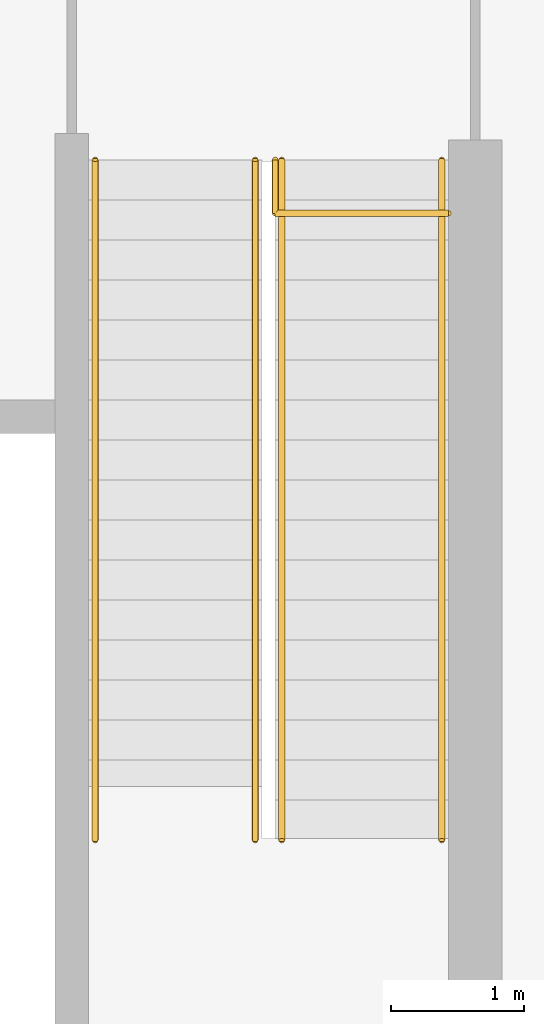
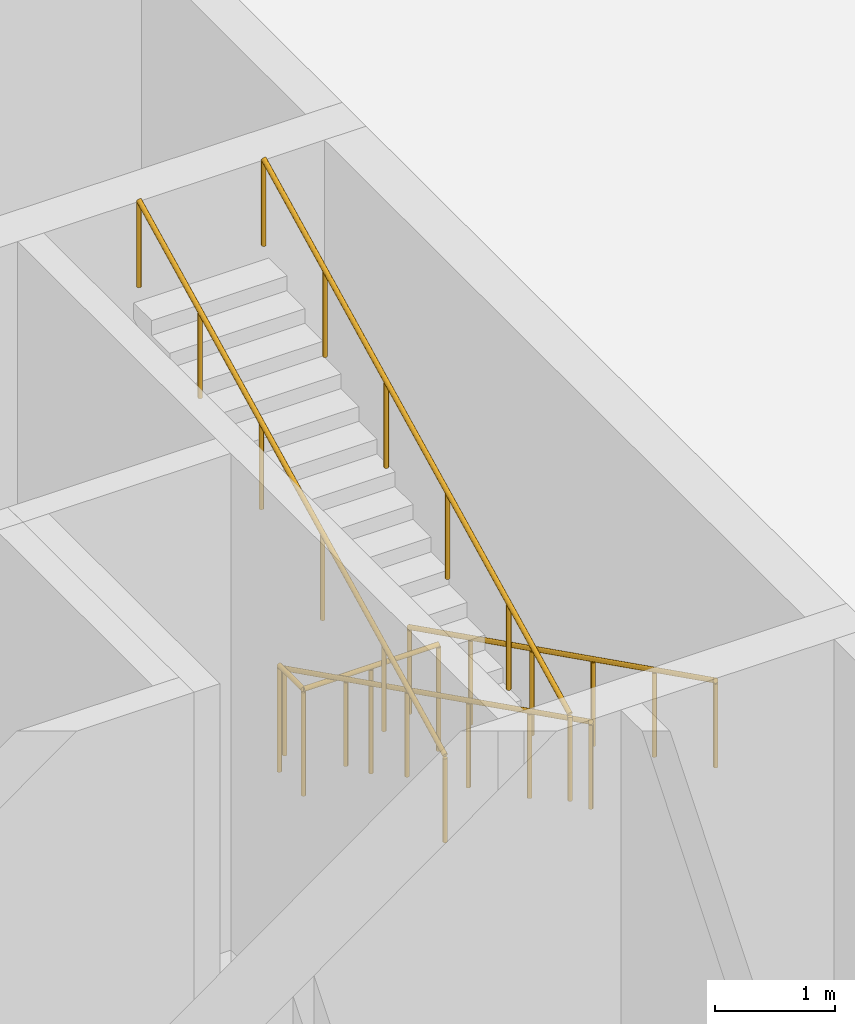
# One storey, part 72 of 76: 5 railings.
"""IFC4 building model written with IfcOpenShell, lengths in metres."""

import ifcopenshell
import ifcopenshell.guid

model = None  # the IFC model being written
_history = None  # IfcOwnerHistory: only IFC2X3 demands one
_inside = {}  # id of a spatial element -> (the spatial element, [elements in it])
_under = {}  # id of a project, library or spatial element -> (it, [spatial elements below it])
_declared = {}  # id of a project -> (the project, [libraries it declares])
_typed = {}  # id of a type object -> (the type object, [elements of that type])
_made_of = {}  # id of a material, layer set ... -> (it, [elements and type objects made of it])


def new_model(schema):
    """Start an empty IFC model of exactly this schema.

    Asked for "IFC4X3", IfcOpenShell would pick the latest addendum, in which some entities
    have other attributes; the version numbers below select the first issue.
    IFC2X3 requires an IfcOwnerHistory on every rooted entity: one is made here for all.
    """
    global model, _history
    if schema == "IFC4X3":
        model = ifcopenshell.file(schema_version=(4, 3, 0, 0))
    else:
        model = ifcopenshell.file(schema=schema)
    _inside.clear()
    _under.clear()
    _declared.clear()
    _typed.clear()
    _made_of.clear()
    _history = None
    if model.schema == "IFC2X3":
        org = make("IfcOrganization", Name="unknown")
        user = make(
            "IfcPersonAndOrganization",
            ThePerson=make("IfcPerson", FamilyName="unknown"),
            TheOrganization=org,
        )
        app = make(
            "IfcApplication",
            ApplicationDeveloper=org,
            Version="unknown",
            ApplicationFullName="unknown",
            ApplicationIdentifier="unknown",
        )
        _history = make(
            "IfcOwnerHistory",
            OwningUser=user,
            OwningApplication=app,
            ChangeAction="ADDED",
            CreationDate=0,
        )
    return model


def make(cls, **values):
    """One entity of the class cls with the attributes given. An attribute that is None is left unset."""
    return model.create_entity(
        cls, **{name: value for name, value in values.items() if value is not None}
    )


def rooted(cls, **values):
    """An entity with a GlobalId (a new one), such as an element, a storey or a relation."""
    return make(cls, GlobalId=ifcopenshell.guid.new(), OwnerHistory=_history, **values)


def si_unit(unit_type, name, prefix=None):
    """IfcSIUnit, for example si_unit("LENGTHUNIT", "METRE", prefix="MILLI")."""
    return make("IfcSIUnit", UnitType=unit_type, Prefix=prefix, Name=name)


def assignment(units):
    """IfcUnitAssignment: the units of a project."""
    return None if units is None else make("IfcUnitAssignment", Units=units)


def point(xyz):
    """IfcCartesianPoint."""
    return None if xyz is None else make("IfcCartesianPoint", Coordinates=xyz)


def direction(xyz):
    """IfcDirection."""
    return None if xyz is None else make("IfcDirection", DirectionRatios=xyz)


def frame(location, z_axis=None, x_axis=None):
    """IfcAxis2Placement3D, a coordinate frame: its origin and axes. An axis left out is left unset."""
    return make(
        "IfcAxis2Placement3D",
        Location=point(location),
        Axis=direction(z_axis),
        RefDirection=direction(x_axis),
    )


def frame_2d(location, x_axis=None):
    """IfcAxis2Placement2D, a coordinate frame in the plane: its origin and x axis."""
    return make(
        "IfcAxis2Placement2D", Location=point(location), RefDirection=direction(x_axis)
    )


def origin():
    """The frame at (0, 0, 0) with its axes left unset."""
    return frame((0.0, 0.0, 0.0))


def origin_2d():
    """The frame at (0, 0) in the plane with its x axis left unset."""
    return frame_2d((0.0, 0.0))


def place(relative_to, where):
    """IfcLocalPlacement: puts the frame where relative to a parent placement (None: the world)."""
    return make(
        "IfcLocalPlacement", PlacementRelTo=relative_to, RelativePlacement=where
    )


def context(
    kind, dimensions, precision=None, world=None, true_north=None, identifier=None
):
    """IfcGeometricRepresentationContext, for example the 3D "Model" context."""
    return make(
        "IfcGeometricRepresentationContext",
        ContextIdentifier=identifier,
        ContextType=kind,
        CoordinateSpaceDimension=dimensions,
        Precision=precision,
        WorldCoordinateSystem=world,
        TrueNorth=true_north,
    )


def subcontext(parent, identifier, kind, view, scale=None):
    """IfcGeometricRepresentationSubContext, for example "Body" below "Model"."""
    return make(
        "IfcGeometricRepresentationSubContext",
        ContextIdentifier=identifier,
        ContextType=kind,
        ParentContext=parent,
        TargetScale=scale,
        TargetView=view,
    )


def project(units=None, contexts=None):
    """IfcProject with its units and contexts."""
    return rooted(
        "IfcProject",
        Name="project",
        RepresentationContexts=contexts,
        UnitsInContext=assignment(units),
    )


def spatial(cls, under=None, at=None, **own):
    """A site, building, storey or space (cls), placed at a placement, below another one or the project."""
    s = rooted(cls, ObjectPlacement=at, **own)
    if under is not None:
        _under.setdefault(under.id(), (under, []))[1].append(s)
    return s


def profile(cls, at=None, kind="AREA", **sizes):
    """A parametric profile (cls). Its sizes go by their IFC names, for example OverallWidth=200.0."""
    return make(cls, ProfileType=kind, Position=at, **sizes)


def circle(**sizes):
    """IfcCircleProfileDef."""
    return profile("IfcCircleProfileDef", **sizes)


def extrude(swept, where, along, depth):
    """IfcExtrudedAreaSolid: the profile swept, set in the frame where, extruded along a direction by depth."""
    return make(
        "IfcExtrudedAreaSolid",
        SweptArea=swept,
        Position=where,
        ExtrudedDirection=direction(along),
        Depth=depth,
    )


def shape(context_of_items, identifier, shape_type, items):
    """IfcShapeRepresentation: the items that make up one representation, for example the "Body"."""
    return make(
        "IfcShapeRepresentation",
        ContextOfItems=context_of_items,
        RepresentationIdentifier=identifier,
        RepresentationType=shape_type,
        Items=items,
    )


def material(Name=None, Category=None):
    """IfcMaterial."""
    return make("IfcMaterial", Name=Name, Category=Category)


def made_of(thing, what):
    """Note that an element or type object is made of a material, layer set ...; save() writes the relation."""
    if what is not None:
        _made_of.setdefault(what.id(), (what, []))[1].append(thing)
    return thing


def type_object(cls, material=None, **own):
    """A type object (cls), such as IfcWallType, which elements share."""
    return made_of(rooted(cls, **own), material)


def element(
    cls,
    number,
    at=None,
    inside=None,
    cuts=None,
    type_object=None,
    material=None,
    context=None,
    identifier="Body",
    shape_type=None,
    held_by="IfcProductDefinitionShape",
    body=None,
    shapes=None,
    **own,
):
    """One element of the class cls, such as IfcWall. Its Tag is "e" and its number.

    at: its placement. inside: the storey or other place that contains it. cuts: it is an
    opening in that element (IfcRelVoidsElement). A single representation is given by context,
    identifier, shape_type and body (its items); several are given by shapes. held_by: the class
    of the entity that holds the representations. save() writes the other relations.
    """
    e = rooted(cls, Tag="e%d" % number, ObjectPlacement=at, **own)
    if body is not None:
        shapes = [shape(context, identifier, shape_type, body)]
    if shapes is not None:
        e.Representation = make(held_by, Representations=shapes)
    if inside is not None:
        _inside.setdefault(inside.id(), (inside, []))[1].append(e)
    if cuts is not None:
        rooted(
            "IfcRelVoidsElement", RelatingBuildingElement=cuts, RelatedOpeningElement=e
        )
    if type_object is not None:
        _typed.setdefault(type_object.id(), (type_object, []))[1].append(e)
    return made_of(e, material)


def aggregate(whole, parts):
    """IfcRelAggregates: a whole, such as a stair, and the parts it consists of."""
    return rooted("IfcRelAggregates", RelatingObject=whole, RelatedObjects=parts)


def save(model, path):
    """Write the relations noted so far, then the file.

    IfcRelAggregates (storeys below a building ...), IfcRelContainedInSpatialStructure (elements
    in a storey), IfcRelDefinesByType, IfcRelAssociatesMaterial and IfcRelDeclares: one each for
    every whole, place, type object, material and project.
    """
    for whole, parts in _under.values():
        aggregate(whole, parts)
    for where, things in _inside.values():
        rooted(
            "IfcRelContainedInSpatialStructure",
            RelatedElements=things,
            RelatingStructure=where,
        )
    for kind, things in _typed.values():
        rooted("IfcRelDefinesByType", RelatedObjects=things, RelatingType=kind)
    for what, things in _made_of.values():
        rooted("IfcRelAssociatesMaterial", RelatedObjects=things, RelatingMaterial=what)
    for by, libraries in _declared.values():
        rooted("IfcRelDeclares", RelatingContext=by, RelatedDefinitions=libraries)
    model.write(path)


model = new_model("IFC4")

# Units and contexts
model_context = context("Model", 3, precision=1e-05, world=origin(), true_north=direction((0.0, 1.0)))
body_context = subcontext(model_context, "Body", "Model", "MODEL_VIEW")
ifc_project = project(units=[si_unit("LENGTHUNIT", "METRE"), si_unit("AREAUNIT", "SQUARE_METRE"), si_unit("VOLUMEUNIT", "CUBIC_METRE"), si_unit("PLANEANGLEUNIT", "RADIAN"), si_unit("MASSUNIT", "GRAM", prefix="KILO")], contexts=[model_context])

# Site, building, storey
site_placement = place(None, origin())
site = spatial("IfcSite", under=ifc_project, at=site_placement, CompositionType="ELEMENT")
building_placement = place(site_placement, origin())
building = spatial("IfcBuilding", under=site, at=building_placement, Name="Hlaing Beacon Police Headquarters", CompositionType="ELEMENT")
storey_placement = place(building_placement, origin())
storey = spatial("IfcBuildingStorey", under=building, at=storey_placement, Name="L00", CompositionType="ELEMENT", Elevation=0.0)

# Railings
ifc_material_1 = material(Name="Stainless steel", Category="steel")
railing_type_1 = type_object("IfcRailingType", Name="Stair guard 1100", PredefinedType="GUARDRAIL", material=ifc_material_1)
railing_placement = place(storey_placement, frame((134.199951171875, 81.89990234375, 0.0)))
element("IfcRailing", 1, at=railing_placement, inside=storey, type_object=railing_type_1, Name="Guard ST-R", PredefinedType="GUARDRAIL", context=body_context, shape_type="SweptSolid", body=[
    extrude(circle(Radius=0.02392578125, at=origin_2d()), frame((0.0, 0.0, 1.076171875), z_axis=(-1.0, 0.0, 0.0), x_axis=(0.0, -1.0, 0.0)), (0.0, 0.0, 1.0), 1.300048828125),
    extrude(circle(Radius=0.02392578125, at=origin_2d()), frame((-1.300048828125, 0.0, 1.076171875), z_axis=(0.0, 1.0, 0.0), x_axis=(-1.0, 0.0, 0.0)), (0.0, 0.0, 1.0), 0.400146484375),
    extrude(circle(Radius=0.02099609375, at=origin_2d()), origin(), (0.0, 0.0, 1.0), 1.052001953125),
    extrude(circle(Radius=0.02099609375, at=origin_2d()), frame((-0.64990234375, 0.0, 0.0)), (0.0, 0.0, 1.0), 1.052001953125),
    extrude(circle(Radius=0.02099609375, at=origin_2d()), frame((-1.300048828125, 0.0, 0.0)), (0.0, 0.0, 1.0), 1.052001953125),
    extrude(circle(Radius=0.02099609375, at=origin_2d()), frame((-1.300048828125, 0.400146484375, 0.0)), (0.0, 0.0, 1.0), 1.052001953125),
])
ifc_material_2 = material(Name="Stainless steel", Category="steel")
railing_type_2 = type_object("IfcRailingType", Name="Stair handrail 900", PredefinedType="HANDRAIL", material=ifc_material_2)
for number, where, name in (
    (2, (134.14990234375, 82.300048828125, 0.14990234375), "Handrail ST-R"),
    (3, (132.949951171875, 82.300048828125, 0.14990234375), "Handrail ST-R"),
):
    element("IfcRailing", number, at=place(storey_placement, frame(where)), inside=storey, type_object=railing_type_2, Name=name, PredefinedType="HANDRAIL", context=body_context, shape_type="SweptSolid", body=[
        extrude(circle(Radius=0.02392578125, at=origin_2d()), frame((0.0, 0.0, 0.8759765625), z_axis=(0.0, -0.894427191, 0.4472135955), x_axis=(1.0, 0.0, 0.0)), (0.0, 0.0, 1.0), 5.7021484375),
        extrude(circle(Radius=0.02099609375, at=origin_2d()), origin(), (0.0, 0.0, 1.0), 0.851806640625),
        extrude(circle(Radius=0.02099609375, at=origin_2d()), frame((0.0, -1.02001953125, 0.510009765625)), (0.0, 0.0, 1.0), 0.851806640625),
        extrude(circle(Radius=0.02099609375, at=origin_2d()), frame((0.0, -2.0400390625, 1.02001953125)), (0.0, 0.0, 1.0), 0.851806640625),
        extrude(circle(Radius=0.02099609375, at=origin_2d()), frame((0.0, -3.06005859375, 1.530029296875)), (0.0, 0.0, 1.0), 0.851806640625),
        extrude(circle(Radius=0.02099609375, at=origin_2d()), frame((0.0, -4.080078125, 2.0400390625)), (0.0, 0.0, 1.0), 0.851806640625),
        extrude(circle(Radius=0.02099609375, at=origin_2d()), frame((0.0, -5.10009765625, 2.550048828125)), (0.0, 0.0, 1.0), 0.851806640625),
    ])
for number, where, name in (
    (4, (132.75, 77.199951171875, 2.85009765625), "Handrail ST-R"),
    (5, (131.550048828125, 77.199951171875, 2.85009765625), "Handrail ST-R"),
):
    element("IfcRailing", number, at=place(storey_placement, frame(where)), inside=storey, type_object=railing_type_2, Name=name, PredefinedType="HANDRAIL", context=body_context, shape_type="SweptSolid", body=[
        extrude(circle(Radius=0.02392578125, at=origin_2d()), frame((0.0, 0.0, 0.8759765625), z_axis=(0.0, 0.89444431709, 0.44717934168), x_axis=(-1.0, 0.0, 0.0)), (0.0, 0.0, 1.0), 5.701904296875),
        extrude(circle(Radius=0.02099609375, at=origin_2d()), origin(), (0.0, 0.0, 1.0), 0.851806640625),
        extrude(circle(Radius=0.02099609375, at=origin_2d()), frame((0.0, 1.02001953125, 0.510009765625)), (0.0, 0.0, 1.0), 0.851806640625),
        extrude(circle(Radius=0.02099609375, at=origin_2d()), frame((0.0, 2.0400390625, 1.02001953125)), (0.0, 0.0, 1.0), 0.851806640625),
        extrude(circle(Radius=0.02099609375, at=origin_2d()), frame((0.0, 3.06005859375, 1.52978515625)), (0.0, 0.0, 1.0), 0.851806640625),
        extrude(circle(Radius=0.02099609375, at=origin_2d()), frame((0.0, 4.080078125, 2.039794921875)), (0.0, 0.0, 1.0), 0.851806640625),
        extrude(circle(Radius=0.02099609375, at=origin_2d()), frame((0.0, 5.10009765625, 2.5498046875)), (0.0, 0.0, 1.0), 0.851806640625),
    ])

save(model, "model.ifc")
